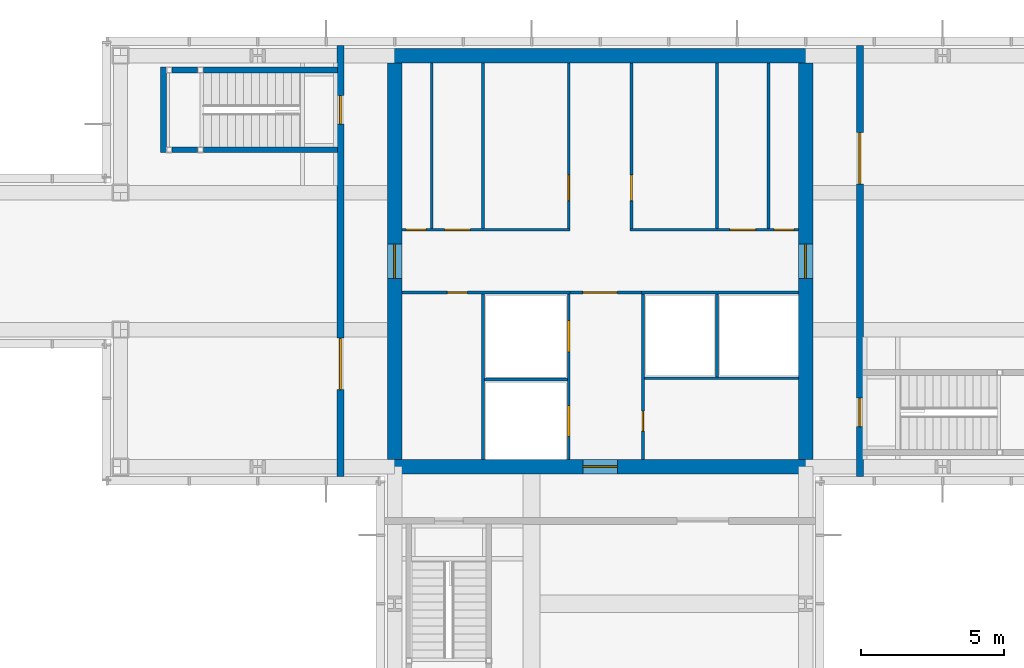
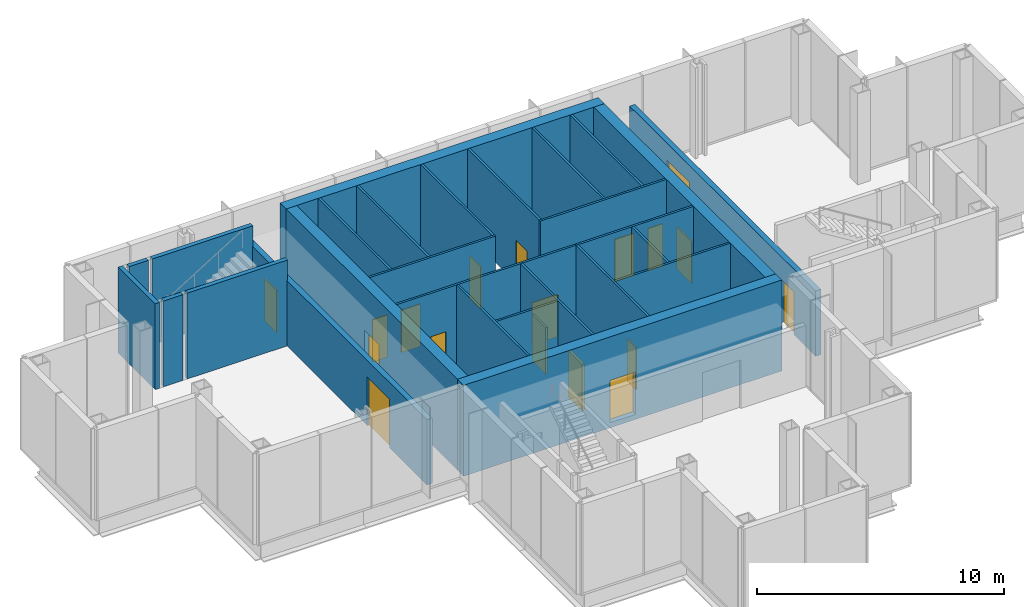
# One storey, part 10 of 12: 28 walls, 18 doors, 18 openings.
"""IFC4 building model written with IfcOpenShell, lengths in metres."""

from ifc_helpers import new_model, si_unit, direction, frame, frame_2d, origin, place, context, subcontext, project, spatial, rectangle, extrude, material, layer, layer_set, type_object, element, fill, save


model = new_model("IFC4")

# Units and contexts
model_context = context("Model", 3, precision=1e-05, world=origin(), true_north=direction((0.0, 1.0)))
body_context = subcontext(model_context, "Body", "Model", "MODEL_VIEW")
ifc_project = project(units=[si_unit("LENGTHUNIT", "METRE"), si_unit("AREAUNIT", "SQUARE_METRE"), si_unit("VOLUMEUNIT", "CUBIC_METRE"), si_unit("PLANEANGLEUNIT", "RADIAN"), si_unit("MASSUNIT", "GRAM", prefix="KILO")], contexts=[model_context])

# Site, building, storey
site_placement = place(None, origin())
site = spatial("IfcSite", under=ifc_project, at=site_placement, CompositionType="ELEMENT")
building_placement = place(site_placement, origin())
building = spatial("IfcBuilding", under=site, at=building_placement, Name="Kvirike Care Tower", CompositionType="ELEMENT")
storey_placement = place(building_placement, frame((0.0, 0.0, 243.5)))
storey = spatial("IfcBuildingStorey", under=building, at=storey_placement, Name="L67", CompositionType="ELEMENT", Elevation=243.5)

# Wall, opening, door
ifc_material_1 = material(Name="Concrete C40/50", Category="concrete")
ifc_layer_1 = layer(ifc_material_1, 0.5)
ifc_layer_set_1 = layer_set([ifc_layer_1], Name="CORE WALL 500 C40-50")
wall_type_1 = type_object("IfcWallType", Name="CORE WALL 500 C40-50", PredefinedType="SHEAR", material=ifc_layer_set_1)
wall_1_placement = place(storey_placement, frame((14.14990234375, 28.800048828125, -0.25), z_axis=(0.0, 0.0, 1.0), x_axis=(1.0, 0.0, 0.0)))
wall_1 = element("IfcWall", 1, at=wall_1_placement, inside=storey, type_object=wall_type_1, Name="Core wall S L67", PredefinedType="SHEAR", context=body_context, shape_type="SweptSolid", body=[
    extrude(rectangle(XDim=14.900146484375, YDim=0.5, at=frame_2d((7.4501953125, 0.0))), origin(), (0.0, 0.0, 1.0), 4.5),
])
opening_1_placement = place(wall_1_placement, frame((6.85009765625, 0.0, 0.25)))
opening_1 = element("IfcOpeningElement", 2, at=opening_1_placement, cuts=wall_1, Name="Opening 67-018", PredefinedType="OPENING", context=body_context, shape_type="SweptSolid", body=[
    extrude(rectangle(XDim=1.199951171875, YDim=2.10009765625, at=frame_2d((0.60009765625, 1.050048828125))), frame((0.0, 0.260498046875, 0.0), z_axis=(0.0, -1.0, 0.0), x_axis=(1.0, 0.0, 0.0)), (0.0, 0.0, 1.0), 0.52099609375),
])
ifc_material_2 = material(Name="Timber door set", Category="wood")
door_type_1 = type_object("IfcDoorType", Name="CORE DOOR 1200", OperationType="SINGLE_SWING_LEFT", PredefinedType="DOOR", material=ifc_material_2)
door_1_placement = place(opening_1_placement, origin())
door_1 = element("IfcDoor", 3, at=door_1_placement, inside=storey, type_object=door_type_1, Name="Core door S L67", OperationType="SINGLE_SWING_LEFT", OverallHeight=2.10009765625, OverallWidth=1.199951171875, PredefinedType="DOOR", context=body_context, shape_type="SweptSolid", body=[
    extrude(rectangle(XDim=1.199951171875, YDim=2.10009765625, at=frame_2d((0.60009765625, 1.050048828125))), frame((0.0, 0.02685546875, 0.0), z_axis=(0.0, -1.0, 0.0), x_axis=(1.0, 0.0, 0.0)), (0.0, 0.0, 1.0), 0.053955078125),
])
fill(opening_1, door_1)

# Wall
wall_2_placement = place(storey_placement, frame((29.050048828125, 43.199951171875, -0.25), z_axis=(0.0, 0.0, 1.0), x_axis=(-1.0, 0.0, 0.0)))
element("IfcWall", 4, at=wall_2_placement, inside=storey, type_object=wall_type_1, Name="Core wall N L67", PredefinedType="SHEAR", context=body_context, shape_type="SweptSolid", body=[
    extrude(rectangle(XDim=14.900146484375, YDim=0.5, at=frame_2d((7.4501953125, 0.0))), origin(), (0.0, 0.0, 1.0), 4.5),
])

# Wall, opening, door
wall_3_placement = place(storey_placement, frame((14.39990234375, 42.949951171875, -0.25), z_axis=(0.0, 0.0, 1.0), x_axis=(0.0, -1.0, 0.0)))
wall_3 = element("IfcWall", 5, at=wall_3_placement, inside=storey, type_object=wall_type_1, Name="Core wall W L67", PredefinedType="SHEAR", context=body_context, shape_type="SweptSolid", body=[
    extrude(rectangle(XDim=13.89990234375, YDim=0.5, at=frame_2d((6.949951171875, 0.0))), origin(), (0.0, 0.0, 1.0), 4.5),
])
opening_2_placement = place(wall_3_placement, frame((6.35009765625, 0.0, 0.25)))
opening_2 = element("IfcOpeningElement", 6, at=opening_2_placement, cuts=wall_3, Name="Opening 67-019", PredefinedType="OPENING", context=body_context, shape_type="SweptSolid", body=[
    extrude(rectangle(XDim=1.199951171875, YDim=2.10009765625, at=frame_2d((0.60009765625, 1.050048828125))), frame((0.0, 0.260498046875, 0.0), z_axis=(0.0, -1.0, 0.0), x_axis=(1.0, 0.0, 0.0)), (0.0, 0.0, 1.0), 0.52099609375),
])
door_2_placement = place(opening_2_placement, origin())
door_2 = element("IfcDoor", 7, at=door_2_placement, inside=storey, type_object=door_type_1, Name="Core door W L67", OperationType="SINGLE_SWING_LEFT", OverallHeight=2.10009765625, OverallWidth=1.199951171875, PredefinedType="DOOR", context=body_context, shape_type="SweptSolid", body=[
    extrude(rectangle(XDim=1.199951171875, YDim=2.10009765625, at=frame_2d((0.60009765625, 1.050048828125))), frame((0.0, 0.02685546875, 0.0), z_axis=(0.0, -1.0, 0.0), x_axis=(1.0, 0.0, 0.0)), (0.0, 0.0, 1.0), 0.053955078125),
])
fill(opening_2, door_2)

wall_4_placement = place(storey_placement, frame((28.800048828125, 29.050048828125, -0.25), z_axis=(0.0, 0.0, 1.0), x_axis=(0.0, 1.0, 0.0)))
wall_4 = element("IfcWall", 8, at=wall_4_placement, inside=storey, type_object=wall_type_1, Name="Core wall E L67", PredefinedType="SHEAR", context=body_context, shape_type="SweptSolid", body=[
    extrude(rectangle(XDim=13.89990234375, YDim=0.5, at=frame_2d((6.949951171875, 0.0))), origin(), (0.0, 0.0, 1.0), 4.5),
])
opening_3_placement = place(wall_4_placement, frame((6.35009765625, 0.0, 0.25)))
opening_3 = element("IfcOpeningElement", 9, at=opening_3_placement, cuts=wall_4, Name="Opening 67-020", PredefinedType="OPENING", context=body_context, shape_type="SweptSolid", body=[
    extrude(rectangle(XDim=1.199951171875, YDim=2.10009765625, at=frame_2d((0.60009765625, 1.050048828125))), frame((0.0, 0.260498046875, 0.0), z_axis=(0.0, -1.0, 0.0), x_axis=(1.0, 0.0, 0.0)), (0.0, 0.0, 1.0), 0.52099609375),
])
door_3_placement = place(opening_3_placement, origin())
door_3 = element("IfcDoor", 10, at=door_3_placement, inside=storey, type_object=door_type_1, Name="Core door E L67", OperationType="SINGLE_SWING_LEFT", OverallHeight=2.10009765625, OverallWidth=1.199951171875, PredefinedType="DOOR", context=body_context, shape_type="SweptSolid", body=[
    extrude(rectangle(XDim=1.199951171875, YDim=2.10009765625, at=frame_2d((0.60009765625, 1.050048828125))), frame((0.0, 0.02685546875, 0.0), z_axis=(0.0, -1.0, 0.0), x_axis=(1.0, 0.0, 0.0)), (0.0, 0.0, 1.0), 0.053955078125),
])
fill(opening_3, door_3)

# Wall, openings, doors
ifc_material_3 = material(Name="Concrete blockwork", Category="masonry")
ifc_layer_2 = layer(ifc_material_3, 0.25)
ifc_layer_set_2 = layer_set([ifc_layer_2], Name="PLANT ROOM WALL 250")
wall_type_2 = type_object("IfcWallType", Name="PLANT ROOM WALL 250", PredefinedType="SOLIDWALL", material=ifc_layer_set_2)
wall_5_placement = place(storey_placement, frame((12.5, 43.550048828125, 0.0), z_axis=(0.0, 0.0, 1.0), x_axis=(0.0, -1.0, 0.0)))
wall_5 = element("IfcWall", 11, at=wall_5_placement, inside=storey, type_object=wall_type_2, Name="Plant Room Wall 250 L67", PredefinedType="SOLIDWALL", context=body_context, shape_type="SweptSolid", body=[
    extrude(rectangle(XDim=15.10009765625, YDim=0.25, at=frame_2d((7.550048828125, 0.0))), origin(), (0.0, 0.0, 1.0), 3.23193359375),
])
opening_4_placement = place(wall_5_placement, frame((1.75, 0.0, 0.0)))
opening_4 = element("IfcOpeningElement", 12, at=opening_4_placement, cuts=wall_5, Name="Opening 67-001", PredefinedType="OPENING", context=body_context, shape_type="SweptSolid", body=[
    extrude(rectangle(XDim=1.0, YDim=2.10009765625, at=frame_2d((0.5, 1.050048828125))), frame((0.0, 0.135498046875, 0.0), z_axis=(0.0, -1.0, 0.0), x_axis=(1.0, 0.0, 0.0)), (0.0, 0.0, 1.0), 0.27099609375),
])
opening_5_placement = place(wall_5_placement, frame((10.25, 0.0, 0.0)))
opening_5 = element("IfcOpeningElement", 13, at=opening_5_placement, cuts=wall_5, Name="Opening 67-002", PredefinedType="OPENING", context=body_context, shape_type="SweptSolid", body=[
    extrude(rectangle(XDim=1.800048828125, YDim=2.39990234375, at=frame_2d((0.89990234375, 1.199951171875))), frame((0.0, 0.135498046875, 0.0), z_axis=(0.0, -1.0, 0.0), x_axis=(1.0, 0.0, 0.0)), (0.0, 0.0, 1.0), 0.27099609375),
])
ifc_material_4 = material(Name="Timber door set", Category="wood")
door_type_2 = type_object("IfcDoorType", Name="PLANT ROOM DOOR 1800", OperationType="DOUBLE_DOOR_SINGLE_SWING", PredefinedType="DOOR", material=ifc_material_4)
door_4_placement = place(opening_5_placement, frame((1.800048828125, 0.0, 0.0), z_axis=(0.0, 0.0, 1.0), x_axis=(-1.0, 0.0, 0.0)))
door_4 = element("IfcDoor", 14, at=door_4_placement, inside=storey, type_object=door_type_2, Name="Electrical plant room door", OperationType="DOUBLE_DOOR_SINGLE_SWING", OverallHeight=2.39990234375, OverallWidth=1.800048828125, PredefinedType="DOOR", context=body_context, shape_type="SweptSolid", body=[
    extrude(rectangle(XDim=1.800048828125, YDim=2.39990234375, at=frame_2d((0.89990234375, 1.199951171875))), frame((0.0, 0.031982421875, 0.0), z_axis=(0.0, -1.0, 0.0), x_axis=(1.0, 0.0, 0.0)), (0.0, 0.0, 1.0), 0.06396484375),
])
fill(opening_5, door_4)
ifc_material_5 = material(Name="Timber door set", Category="wood")
door_type_3 = type_object("IfcDoorType", Name="STAIR DOOR 1000", OperationType="SINGLE_SWING_LEFT", PredefinedType="DOOR", material=ifc_material_5)
door_5_placement = place(opening_4_placement, frame((1.0, 0.0, 0.0), z_axis=(0.0, 0.0, 1.0), x_axis=(-1.0, 0.0, 0.0)))
door_5 = element("IfcDoor", 15, at=door_5_placement, inside=storey, type_object=door_type_3, Name="Stair 1 door", OperationType="SINGLE_SWING_RIGHT", OverallHeight=2.10009765625, OverallWidth=1.0, PredefinedType="DOOR", context=body_context, shape_type="SweptSolid", body=[
    extrude(rectangle(XDim=1.0, YDim=2.10009765625, at=frame_2d((0.5, 1.050048828125))), frame((0.0, 0.031982421875, 0.0), z_axis=(0.0, -1.0, 0.0), x_axis=(1.0, 0.0, 0.0)), (0.0, 0.0, 1.0), 0.06396484375),
])
fill(opening_4, door_5)

wall_6_placement = place(storey_placement, frame((30.699951171875, 28.449951171875, 0.0), z_axis=(0.0, 0.0, 1.0), x_axis=(0.0, 1.0, 0.0)))
wall_6 = element("IfcWall", 16, at=wall_6_placement, inside=storey, type_object=wall_type_2, Name="Plant Room Wall 250 L67", PredefinedType="SOLIDWALL", context=body_context, shape_type="SweptSolid", body=[
    extrude(rectangle(XDim=15.10009765625, YDim=0.25, at=frame_2d((7.550048828125, 0.0))), origin(), (0.0, 0.0, 1.0), 3.23193359375),
])
opening_6_placement = place(wall_6_placement, frame((1.75, 0.0, 0.0)))
opening_6 = element("IfcOpeningElement", 17, at=opening_6_placement, cuts=wall_6, Name="Opening 67-005", PredefinedType="OPENING", context=body_context, shape_type="SweptSolid", body=[
    extrude(rectangle(XDim=1.0, YDim=2.10009765625, at=frame_2d((0.5, 1.050048828125))), frame((0.0, 0.135498046875, 0.0), z_axis=(0.0, -1.0, 0.0), x_axis=(1.0, 0.0, 0.0)), (0.0, 0.0, 1.0), 0.27099609375),
])
opening_7_placement = place(wall_6_placement, frame((10.25, 0.0, 0.0)))
opening_7 = element("IfcOpeningElement", 18, at=opening_7_placement, cuts=wall_6, Name="Opening 67-006", PredefinedType="OPENING", context=body_context, shape_type="SweptSolid", body=[
    extrude(rectangle(XDim=1.800048828125, YDim=2.39990234375, at=frame_2d((0.89990234375, 1.199951171875))), frame((0.0, 0.135498046875, 0.0), z_axis=(0.0, -1.0, 0.0), x_axis=(1.0, 0.0, 0.0)), (0.0, 0.0, 1.0), 0.27099609375),
])
door_6_placement = place(opening_7_placement, frame((1.800048828125, 0.0, 0.0), z_axis=(0.0, 0.0, 1.0), x_axis=(-1.0, 0.0, 0.0)))
door_6 = element("IfcDoor", 19, at=door_6_placement, inside=storey, type_object=door_type_2, Name="Mechanical plant room door", OperationType="DOUBLE_DOOR_SINGLE_SWING", OverallHeight=2.39990234375, OverallWidth=1.800048828125, PredefinedType="DOOR", context=body_context, shape_type="SweptSolid", body=[
    extrude(rectangle(XDim=1.800048828125, YDim=2.39990234375, at=frame_2d((0.89990234375, 1.199951171875))), frame((0.0, 0.031982421875, 0.0), z_axis=(0.0, -1.0, 0.0), x_axis=(1.0, 0.0, 0.0)), (0.0, 0.0, 1.0), 0.06396484375),
])
fill(opening_7, door_6)
door_7_placement = place(opening_6_placement, frame((1.0, 0.0, 0.0), z_axis=(0.0, 0.0, 1.0), x_axis=(-1.0, 0.0, 0.0)))
door_7 = element("IfcDoor", 20, at=door_7_placement, inside=storey, type_object=door_type_3, Name="Stair 2 door", OperationType="SINGLE_SWING_RIGHT", OverallHeight=2.10009765625, OverallWidth=1.0, PredefinedType="DOOR", context=body_context, shape_type="SweptSolid", body=[
    extrude(rectangle(XDim=1.0, YDim=2.10009765625, at=frame_2d((0.5, 1.050048828125))), frame((0.0, 0.031982421875, 0.0), z_axis=(0.0, -1.0, 0.0), x_axis=(1.0, 0.0, 0.0)), (0.0, 0.0, 1.0), 0.06396484375),
])
fill(opening_6, door_7)

# Walls
ifc_material_6 = material(Name="Gypsum shaft wall system", Category="gypsum")
ifc_layer_3 = layer(ifc_material_6, 0.10009765625)
ifc_layer_set_3 = layer_set([ifc_layer_3], Name="SHAFT WALL 100")
wall_type_3 = type_object("IfcWallType", Name="SHAFT WALL 100", PredefinedType="SOLIDWALL", material=ifc_layer_set_3)
for number, where, z_axis, x_axis, name in (
    (21, (15.699951171875, 37.14990234375, 0.0), (0.0, 0.0, 1.0), (0.0, 1.0, 0.0), "Shaft Wall 100 L67"),
    (22, (27.5, 37.14990234375, 0.0), (0.0, 0.0, 1.0), (0.0, 1.0, 0.0), "Shaft Wall 100 L67"),
):
    element("IfcWall", number, at=place(storey_placement, frame(where, z_axis=z_axis, x_axis=x_axis)), inside=storey, type_object=wall_type_3, Name=name, PredefinedType="SOLIDWALL", context=body_context, shape_type="SweptSolid", body=[
        extrude(rectangle(XDim=5.800048828125, YDim=0.10009765625, at=frame_2d((2.89990234375, 0.0))), origin(), (0.0, 0.0, 1.0), 4.25),
    ])

# Wall, openings, doors
wall_7_placement = place(storey_placement, frame((20.5, 29.050048828125, 0.0), z_axis=(0.0, 0.0, 1.0), x_axis=(0.0, 1.0, 0.0)))
wall_7 = element("IfcWall", 23, at=wall_7_placement, inside=storey, type_object=wall_type_3, Name="Shaft Wall 100 L67", PredefinedType="SOLIDWALL", context=body_context, shape_type="SweptSolid", body=[
    extrude(rectangle(XDim=5.800048828125, YDim=0.10009765625, at=frame_2d((2.89990234375, 0.0))), origin(), (0.0, 0.0, 1.0), 4.25),
])
opening_8_placement = place(wall_7_placement, frame((0.800048828125, 0.0, 0.0)))
opening_8 = element("IfcOpeningElement", 24, at=opening_8_placement, cuts=wall_7, Name="Opening 67-007", PredefinedType="OPENING", context=body_context, shape_type="SweptSolid", body=[
    extrude(rectangle(XDim=1.10009765625, YDim=2.300048828125, at=frame_2d((0.550048828125, 1.14990234375))), frame((0.0, 0.060546875, 0.0), z_axis=(0.0, -1.0, 0.0), x_axis=(1.0, 0.0, 0.0)), (0.0, 0.0, 1.0), 0.12109375),
])
opening_9_placement = place(wall_7_placement, frame((3.77490234375, 0.0, 0.0)))
opening_9 = element("IfcOpeningElement", 25, at=opening_9_placement, cuts=wall_7, Name="Opening 67-008", PredefinedType="OPENING", context=body_context, shape_type="SweptSolid", body=[
    extrude(rectangle(XDim=1.10009765625, YDim=2.300048828125, at=frame_2d((0.550048828125, 1.14990234375))), frame((0.0, 0.060546875, 0.0), z_axis=(0.0, -1.0, 0.0), x_axis=(1.0, 0.0, 0.0)), (0.0, 0.0, 1.0), 0.12109375),
])
ifc_material_7 = material(Name="Aluminium door frame", Category="aluminium")
door_type_4 = type_object("IfcDoorType", Name="FIRE-FIGHTING LIFT LANDING DOOR 1100", OperationType="SLIDING_TO_LEFT", PredefinedType="DOOR", material=ifc_material_7)
door_8_placement = place(opening_8_placement, origin())
door_8 = element("IfcDoor", 26, at=door_8_placement, inside=storey, type_object=door_type_4, Name="Lift FF1 landing door", OperationType="SLIDING_TO_LEFT", OverallHeight=2.300048828125, OverallWidth=1.10009765625, PredefinedType="DOOR", context=body_context, shape_type="SweptSolid", body=[
    extrude(rectangle(XDim=1.10009765625, YDim=2.300048828125, at=frame_2d((0.550048828125, 1.14990234375))), frame((0.0, 0.0498046875, 0.0), z_axis=(0.0, -1.0, 0.0), x_axis=(1.0, 0.0, 0.0)), (0.0, 0.0, 1.0), 0.099609375),
])
fill(opening_8, door_8)
door_9_placement = place(opening_9_placement, origin())
door_9 = element("IfcDoor", 27, at=door_9_placement, inside=storey, type_object=door_type_4, Name="Lift FF2 landing door", OperationType="SLIDING_TO_LEFT", OverallHeight=2.300048828125, OverallWidth=1.10009765625, PredefinedType="DOOR", context=body_context, shape_type="SweptSolid", body=[
    extrude(rectangle(XDim=1.10009765625, YDim=2.300048828125, at=frame_2d((0.550048828125, 1.14990234375))), frame((0.0, 0.0498046875, 0.0), z_axis=(0.0, -1.0, 0.0), x_axis=(1.0, 0.0, 0.0)), (0.0, 0.0, 1.0), 0.099609375),
])
fill(opening_9, door_9)

# Wall, opening, door
wall_8_placement = place(storey_placement, frame((20.5, 37.14990234375, 0.0), z_axis=(0.0, 0.0, 1.0), x_axis=(0.0, 1.0, 0.0)))
wall_8 = element("IfcWall", 28, at=wall_8_placement, inside=storey, type_object=wall_type_3, Name="Shaft Wall 100 L67", PredefinedType="SOLIDWALL", context=body_context, shape_type="SweptSolid", body=[
    extrude(rectangle(XDim=5.800048828125, YDim=0.10009765625, at=frame_2d((2.89990234375, 0.0))), origin(), (0.0, 0.0, 1.0), 4.25),
])
opening_10_placement = place(wall_8_placement, frame((0.97509765625, 0.0, 0.0)))
opening_10 = element("IfcOpeningElement", 29, at=opening_10_placement, cuts=wall_8, Name="Opening 67-009", PredefinedType="OPENING", context=body_context, shape_type="SweptSolid", body=[
    extrude(rectangle(XDim=0.89990234375, YDim=2.10009765625, at=frame_2d((0.449951171875, 1.050048828125))), frame((0.0, 0.060546875, 0.0), z_axis=(0.0, -1.0, 0.0), x_axis=(1.0, 0.0, 0.0)), (0.0, 0.0, 1.0), 0.12109375),
])
ifc_material_8 = material(Name="Timber door set", Category="wood")
door_type_5 = type_object("IfcDoorType", Name="STORE DOOR 900", OperationType="SINGLE_SWING_LEFT", PredefinedType="DOOR", material=ifc_material_8)
door_10_placement = place(opening_10_placement, origin())
door_10 = element("IfcDoor", 30, at=door_10_placement, inside=storey, type_object=door_type_5, Name="Housekeeping office door", OperationType="SINGLE_SWING_RIGHT", OverallHeight=2.10009765625, OverallWidth=0.89990234375, PredefinedType="DOOR", context=body_context, shape_type="SweptSolid", body=[
    extrude(rectangle(XDim=0.89990234375, YDim=2.10009765625, at=frame_2d((0.449951171875, 1.050048828125))), frame((0.0, 0.02685546875, 0.0), z_axis=(0.0, -1.0, 0.0), x_axis=(1.0, 0.0, 0.0)), (0.0, 0.0, 1.0), 0.053955078125),
])
fill(opening_10, door_10)

wall_9_placement = place(storey_placement, frame((22.699951171875, 37.14990234375, 0.0), z_axis=(0.0, 0.0, 1.0), x_axis=(0.0, 1.0, 0.0)))
wall_9 = element("IfcWall", 31, at=wall_9_placement, inside=storey, type_object=wall_type_3, Name="Shaft Wall 100 L67", PredefinedType="SOLIDWALL", context=body_context, shape_type="SweptSolid", body=[
    extrude(rectangle(XDim=5.800048828125, YDim=0.10009765625, at=frame_2d((2.89990234375, 0.0))), origin(), (0.0, 0.0, 1.0), 4.25),
])
opening_11_placement = place(wall_9_placement, frame((0.97509765625, 0.0, 0.0)))
opening_11 = element("IfcOpeningElement", 32, at=opening_11_placement, cuts=wall_9, Name="Opening 67-010", PredefinedType="OPENING", context=body_context, shape_type="SweptSolid", body=[
    extrude(rectangle(XDim=0.89990234375, YDim=2.10009765625, at=frame_2d((0.449951171875, 1.050048828125))), frame((0.0, 0.060546875, 0.0), z_axis=(0.0, -1.0, 0.0), x_axis=(1.0, 0.0, 0.0)), (0.0, 0.0, 1.0), 0.12109375),
])
door_11_placement = place(opening_11_placement, frame((0.89990234375, 0.0, 0.0), z_axis=(0.0, 0.0, 1.0), x_axis=(-1.0, 0.0, 0.0)))
door_11 = element("IfcDoor", 33, at=door_11_placement, inside=storey, type_object=door_type_5, Name="Staff room door", OperationType="SINGLE_SWING_LEFT", OverallHeight=2.10009765625, OverallWidth=0.89990234375, PredefinedType="DOOR", context=body_context, shape_type="SweptSolid", body=[
    extrude(rectangle(XDim=0.89990234375, YDim=2.10009765625, at=frame_2d((0.449951171875, 1.050048828125))), frame((0.0, 0.02685546875, 0.0), z_axis=(0.0, -1.0, 0.0), x_axis=(1.0, 0.0, 0.0)), (0.0, 0.0, 1.0), 0.053955078125),
])
fill(opening_11, door_11)

wall_10_placement = place(storey_placement, frame((23.10009765625, 29.050048828125, 0.0), z_axis=(0.0, 0.0, 1.0), x_axis=(0.0, 1.0, 0.0)))
wall_10 = element("IfcWall", 34, at=wall_10_placement, inside=storey, type_object=wall_type_3, Name="Shaft Wall 100 L67", PredefinedType="SOLIDWALL", context=body_context, shape_type="SweptSolid", body=[
    extrude(rectangle(XDim=5.800048828125, YDim=0.10009765625, at=frame_2d((2.89990234375, 0.0))), origin(), (0.0, 0.0, 1.0), 4.25),
])
opening_12_placement = place(wall_10_placement, frame((1.0, 0.0, 0.0)))
opening_12 = element("IfcOpeningElement", 35, at=opening_12_placement, cuts=wall_10, Name="Opening 67-011", PredefinedType="OPENING", context=body_context, shape_type="SweptSolid", body=[
    extrude(rectangle(XDim=0.699951171875, YDim=2.10009765625, at=frame_2d((0.35009765625, 1.050048828125))), frame((0.0, 0.060546875, 0.0), z_axis=(0.0, -1.0, 0.0), x_axis=(1.0, 0.0, 0.0)), (0.0, 0.0, 1.0), 0.12109375),
])
ifc_material_9 = material(Name="Timber door set", Category="wood")
door_type_6 = type_object("IfcDoorType", Name="RISER DOOR 700", OperationType="SINGLE_SWING_LEFT", PredefinedType="DOOR", material=ifc_material_9)
door_12_placement = place(opening_12_placement, origin())
door_12 = element("IfcDoor", 36, at=door_12_placement, inside=storey, type_object=door_type_6, Name="Riser door", OperationType="SINGLE_SWING_RIGHT", OverallHeight=2.10009765625, OverallWidth=0.699951171875, PredefinedType="DOOR", context=body_context, shape_type="SweptSolid", body=[
    extrude(rectangle(XDim=0.699951171875, YDim=2.10009765625, at=frame_2d((0.35009765625, 1.050048828125))), frame((0.0, 0.02685546875, 0.0), z_axis=(0.0, -1.0, 0.0), x_axis=(1.0, 0.0, 0.0)), (0.0, 0.0, 1.0), 0.053955078125),
])
fill(opening_12, door_12)

wall_11_placement = place(storey_placement, frame((14.64990234375, 34.89990234375, 0.0), z_axis=(0.0, 0.0, 1.0), x_axis=(1.0, 0.0, 0.0)))
wall_11 = element("IfcWall", 37, at=wall_11_placement, inside=storey, type_object=wall_type_3, Name="Shaft Wall 100 L67", PredefinedType="SOLIDWALL", context=body_context, shape_type="SweptSolid", body=[
    extrude(rectangle(XDim=5.900146484375, YDim=0.10009765625, at=frame_2d((2.9501953125, 0.0))), origin(), (0.0, 0.0, 1.0), 4.25),
])
opening_13_placement = place(wall_11_placement, frame((1.60009765625, 0.0, 0.0)))
opening_13 = element("IfcOpeningElement", 38, at=opening_13_placement, cuts=wall_11, Name="Opening 67-012", PredefinedType="OPENING", context=body_context, shape_type="SweptSolid", body=[
    extrude(rectangle(XDim=0.699951171875, YDim=2.10009765625, at=frame_2d((0.35009765625, 1.050048828125))), frame((0.0, 0.060546875, 0.0), z_axis=(0.0, -1.0, 0.0), x_axis=(1.0, 0.0, 0.0)), (0.0, 0.0, 1.0), 0.12109375),
])
door_13_placement = place(opening_13_placement, frame((0.699951171875, 0.0, 0.0), z_axis=(0.0, 0.0, 1.0), x_axis=(-1.0, 0.0, 0.0)))
door_13 = element("IfcDoor", 39, at=door_13_placement, inside=storey, type_object=door_type_6, Name="Riser door", OperationType="SINGLE_SWING_RIGHT", OverallHeight=2.10009765625, OverallWidth=0.699951171875, PredefinedType="DOOR", context=body_context, shape_type="SweptSolid", body=[
    extrude(rectangle(XDim=0.699951171875, YDim=2.10009765625, at=frame_2d((0.35009765625, 1.050048828125))), frame((0.0, 0.02685546875, 0.0), z_axis=(0.0, -1.0, 0.0), x_axis=(1.0, 0.0, 0.0)), (0.0, 0.0, 1.0), 0.053955078125),
])
fill(opening_13, door_13)

# Wall
wall_12_placement = place(storey_placement, frame((23.050048828125, 34.89990234375, 0.0), z_axis=(0.0, 0.0, 1.0), x_axis=(1.0, 0.0, 0.0)))
element("IfcWall", 40, at=wall_12_placement, inside=storey, type_object=wall_type_3, Name="Shaft Wall 100 L67", PredefinedType="SOLIDWALL", context=body_context, shape_type="SweptSolid", body=[
    extrude(rectangle(XDim=5.5, YDim=0.10009765625, at=frame_2d((2.75, 0.0))), origin(), (0.0, 0.0, 1.0), 4.25),
])

# Wall, openings, doors
wall_13_placement = place(storey_placement, frame((14.64990234375, 37.10009765625, 0.0), z_axis=(0.0, 0.0, 1.0), x_axis=(1.0, 0.0, 0.0)))
wall_13 = element("IfcWall", 41, at=wall_13_placement, inside=storey, type_object=wall_type_3, Name="Shaft Wall 100 L67", PredefinedType="SOLIDWALL", context=body_context, shape_type="SweptSolid", body=[
    extrude(rectangle(XDim=5.900146484375, YDim=0.10009765625, at=frame_2d((2.9501953125, 0.0))), origin(), (0.0, 0.0, 1.0), 4.25),
])
opening_14_placement = place(wall_13_placement, frame((0.14990234375, 0.0, 0.0)))
opening_14 = element("IfcOpeningElement", 42, at=opening_14_placement, cuts=wall_13, Name="Opening 67-013", PredefinedType="OPENING", context=body_context, shape_type="SweptSolid", body=[
    extrude(rectangle(XDim=0.699951171875, YDim=2.10009765625, at=frame_2d((0.35009765625, 1.050048828125))), frame((0.0, 0.060546875, 0.0), z_axis=(0.0, -1.0, 0.0), x_axis=(1.0, 0.0, 0.0)), (0.0, 0.0, 1.0), 0.12109375),
])
opening_15_placement = place(wall_13_placement, frame((1.5, 0.0, 0.0)))
opening_15 = element("IfcOpeningElement", 43, at=opening_15_placement, cuts=wall_13, Name="Opening 67-014", PredefinedType="OPENING", context=body_context, shape_type="SweptSolid", body=[
    extrude(rectangle(XDim=0.89990234375, YDim=2.10009765625, at=frame_2d((0.449951171875, 1.050048828125))), frame((0.0, 0.060546875, 0.0), z_axis=(0.0, -1.0, 0.0), x_axis=(1.0, 0.0, 0.0)), (0.0, 0.0, 1.0), 0.12109375),
])
door_14_placement = place(opening_14_placement, origin())
door_14 = element("IfcDoor", 44, at=door_14_placement, inside=storey, type_object=door_type_6, Name="Riser door", OperationType="SINGLE_SWING_LEFT", OverallHeight=2.10009765625, OverallWidth=0.699951171875, PredefinedType="DOOR", context=body_context, shape_type="SweptSolid", body=[
    extrude(rectangle(XDim=0.699951171875, YDim=2.10009765625, at=frame_2d((0.35009765625, 1.050048828125))), frame((0.0, 0.02685546875, 0.0), z_axis=(0.0, -1.0, 0.0), x_axis=(1.0, 0.0, 0.0)), (0.0, 0.0, 1.0), 0.053955078125),
])
fill(opening_14, door_14)
door_15_placement = place(opening_15_placement, origin())
door_15 = element("IfcDoor", 45, at=door_15_placement, inside=storey, type_object=door_type_5, Name="Vending and ice room door", OperationType="SINGLE_SWING_LEFT", OverallHeight=2.10009765625, OverallWidth=0.89990234375, PredefinedType="DOOR", context=body_context, shape_type="SweptSolid", body=[
    extrude(rectangle(XDim=0.89990234375, YDim=2.10009765625, at=frame_2d((0.449951171875, 1.050048828125))), frame((0.0, 0.02685546875, 0.0), z_axis=(0.0, -1.0, 0.0), x_axis=(1.0, 0.0, 0.0)), (0.0, 0.0, 1.0), 0.053955078125),
])
fill(opening_15, door_15)

wall_14_placement = place(storey_placement, frame((22.64990234375, 37.10009765625, 0.0), z_axis=(0.0, 0.0, 1.0), x_axis=(1.0, 0.0, 0.0)))
wall_14 = element("IfcWall", 46, at=wall_14_placement, inside=storey, type_object=wall_type_3, Name="Shaft Wall 100 L67", PredefinedType="SOLIDWALL", context=body_context, shape_type="SweptSolid", body=[
    extrude(rectangle(XDim=5.900146484375, YDim=0.10009765625, at=frame_2d((2.9501953125, 0.0))), origin(), (0.0, 0.0, 1.0), 4.25),
])
opening_16_placement = place(wall_14_placement, frame((3.5, 0.0, 0.0)))
opening_16 = element("IfcOpeningElement", 47, at=opening_16_placement, cuts=wall_14, Name="Opening 67-015", PredefinedType="OPENING", context=body_context, shape_type="SweptSolid", body=[
    extrude(rectangle(XDim=0.89990234375, YDim=2.10009765625, at=frame_2d((0.449951171875, 1.050048828125))), frame((0.0, 0.060546875, 0.0), z_axis=(0.0, -1.0, 0.0), x_axis=(1.0, 0.0, 0.0)), (0.0, 0.0, 1.0), 0.12109375),
])
opening_17_placement = place(wall_14_placement, frame((5.050048828125, 0.0, 0.0)))
opening_17 = element("IfcOpeningElement", 48, at=opening_17_placement, cuts=wall_14, Name="Opening 67-016", PredefinedType="OPENING", context=body_context, shape_type="SweptSolid", body=[
    extrude(rectangle(XDim=0.699951171875, YDim=2.10009765625, at=frame_2d((0.35009765625, 1.050048828125))), frame((0.0, 0.060546875, 0.0), z_axis=(0.0, -1.0, 0.0), x_axis=(1.0, 0.0, 0.0)), (0.0, 0.0, 1.0), 0.12109375),
])
door_16_placement = place(opening_17_placement, origin())
door_16 = element("IfcDoor", 49, at=door_16_placement, inside=storey, type_object=door_type_6, Name="Riser door", OperationType="SINGLE_SWING_RIGHT", OverallHeight=2.10009765625, OverallWidth=0.699951171875, PredefinedType="DOOR", context=body_context, shape_type="SweptSolid", body=[
    extrude(rectangle(XDim=0.699951171875, YDim=2.10009765625, at=frame_2d((0.35009765625, 1.050048828125))), frame((0.0, 0.02685546875, 0.0), z_axis=(0.0, -1.0, 0.0), x_axis=(1.0, 0.0, 0.0)), (0.0, 0.0, 1.0), 0.053955078125),
])
fill(opening_17, door_16)
door_17_placement = place(opening_16_placement, origin())
door_17 = element("IfcDoor", 50, at=door_17_placement, inside=storey, type_object=door_type_5, Name="Records store door", OperationType="SINGLE_SWING_LEFT", OverallHeight=2.10009765625, OverallWidth=0.89990234375, PredefinedType="DOOR", context=body_context, shape_type="SweptSolid", body=[
    extrude(rectangle(XDim=0.89990234375, YDim=2.10009765625, at=frame_2d((0.449951171875, 1.050048828125))), frame((0.0, 0.02685546875, 0.0), z_axis=(0.0, -1.0, 0.0), x_axis=(1.0, 0.0, 0.0)), (0.0, 0.0, 1.0), 0.053955078125),
])
fill(opening_16, door_17)

# Wall, opening, door
wall_15_placement = place(storey_placement, frame((20.550048828125, 34.89990234375, 0.0), z_axis=(0.0, 0.0, 1.0), x_axis=(1.0, 0.0, 0.0)))
wall_15 = element("IfcWall", 51, at=wall_15_placement, inside=storey, type_object=wall_type_3, Name="Shaft Wall 100 L67", PredefinedType="SOLIDWALL", context=body_context, shape_type="SweptSolid", body=[
    extrude(rectangle(XDim=2.5, YDim=0.10009765625, at=frame_2d((1.25, 0.0))), origin(), (0.0, 0.0, 1.0), 4.25),
])
opening_18_placement = place(wall_15_placement, frame((0.449951171875, 0.0, 0.0)))
opening_18 = element("IfcOpeningElement", 52, at=opening_18_placement, cuts=wall_15, Name="Opening 67-017", PredefinedType="OPENING", context=body_context, shape_type="SweptSolid", body=[
    extrude(rectangle(XDim=1.199951171875, YDim=2.10009765625, at=frame_2d((0.60009765625, 1.050048828125))), frame((0.0, 0.060546875, 0.0), z_axis=(0.0, -1.0, 0.0), x_axis=(1.0, 0.0, 0.0)), (0.0, 0.0, 1.0), 0.12109375),
])
door_18_placement = place(opening_18_placement, frame((1.199951171875, 0.0, 0.0), z_axis=(0.0, 0.0, 1.0), x_axis=(-1.0, 0.0, 0.0)))
door_18 = element("IfcDoor", 53, at=door_18_placement, inside=storey, type_object=door_type_1, Name="Fire-fighting lobby door", OperationType="SINGLE_SWING_LEFT", OverallHeight=2.10009765625, OverallWidth=1.199951171875, PredefinedType="DOOR", context=body_context, shape_type="SweptSolid", body=[
    extrude(rectangle(XDim=1.199951171875, YDim=2.10009765625, at=frame_2d((0.60009765625, 1.050048828125))), frame((0.0, 0.02685546875, 0.0), z_axis=(0.0, -1.0, 0.0), x_axis=(1.0, 0.0, 0.0)), (0.0, 0.0, 1.0), 0.053955078125),
])
fill(opening_18, door_18)

# Walls
wall_16_placement = place(storey_placement, frame((17.5, 29.050048828125, 0.0), z_axis=(0.0, 0.0, 1.0), x_axis=(0.0, 1.0, 0.0)))
element("IfcWall", 54, at=wall_16_placement, inside=storey, type_object=wall_type_3, Name="Shaft Wall 100 L67", PredefinedType="SOLIDWALL", context=body_context, shape_type="SweptSolid", body=[
    extrude(rectangle(XDim=5.800048828125, YDim=0.10009765625, at=frame_2d((2.89990234375, 0.0))), origin(), (0.0, 0.0, 1.0), 4.25),
])
wall_17_placement = place(storey_placement, frame((17.550048828125, 31.85009765625, 0.0), z_axis=(0.0, 0.0, 1.0), x_axis=(1.0, 0.0, 0.0)))
element("IfcWall", 55, at=wall_17_placement, inside=storey, type_object=wall_type_3, Name="Shaft Wall 100 L67", PredefinedType="SOLIDWALL", context=body_context, shape_type="SweptSolid", body=[
    extrude(rectangle(XDim=2.89990234375, YDim=0.10009765625, at=frame_2d((1.449951171875, 0.0))), origin(), (0.0, 0.0, 1.0), 4.25),
])
for number, where, z_axis, x_axis, name in (
    (56, (17.5, 37.14990234375, 0.0), (0.0, 0.0, 1.0), (0.0, 1.0, 0.0), "Shaft Wall 100 L67"),
    (57, (25.699951171875, 37.14990234375, 0.0), (0.0, 0.0, 1.0), (0.0, 1.0, 0.0), "Shaft Wall 100 L67"),
):
    element("IfcWall", number, at=place(storey_placement, frame(where, z_axis=z_axis, x_axis=x_axis)), inside=storey, type_object=wall_type_3, Name=name, PredefinedType="SOLIDWALL", context=body_context, shape_type="SweptSolid", body=[
        extrude(rectangle(XDim=5.800048828125, YDim=0.10009765625, at=frame_2d((2.89990234375, 0.0))), origin(), (0.0, 0.0, 1.0), 4.25),
    ])
wall_18_placement = place(storey_placement, frame((25.699951171875, 31.949951171875, 0.0), z_axis=(0.0, 0.0, 1.0), x_axis=(0.0, 1.0, 0.0)))
element("IfcWall", 58, at=wall_18_placement, inside=storey, type_object=wall_type_3, Name="Shaft Wall 100 L67", PredefinedType="SOLIDWALL", context=body_context, shape_type="SweptSolid", body=[
    extrude(rectangle(XDim=2.900146484375, YDim=0.10009765625, at=frame_2d((1.4501953125, 0.0))), origin(), (0.0, 0.0, 1.0), 4.25),
])
wall_19_placement = place(storey_placement, frame((23.14990234375, 31.89990234375, 0.0), z_axis=(0.0, 0.0, 1.0), x_axis=(1.0, 0.0, 0.0)))
element("IfcWall", 59, at=wall_19_placement, inside=storey, type_object=wall_type_3, Name="Shaft Wall 100 L67", PredefinedType="SOLIDWALL", context=body_context, shape_type="SweptSolid", body=[
    extrude(rectangle(XDim=5.400146484375, YDim=0.10009765625, at=frame_2d((2.7001953125, 0.0))), origin(), (0.0, 0.0, 1.0), 4.25),
])
ifc_material_10 = material(Name="Concrete C40/50", Category="concrete")
ifc_layer_4 = layer(ifc_material_10, 0.199951171875)
ifc_layer_set_4 = layer_set([ifc_layer_4], Name="STAIR WALL 200")
wall_type_4 = type_object("IfcWallType", Name="STAIR WALL 200", PredefinedType="SOLIDWALL", material=ifc_layer_set_4)
wall_20_placement = place(storey_placement, frame((6.60009765625, 42.699951171875, 0.0), z_axis=(0.0, 0.0, 1.0), x_axis=(1.0, 0.0, 0.0)))
element("IfcWall", 60, at=wall_20_placement, inside=storey, type_object=wall_type_4, Name="Stair Wall 200 L67", PredefinedType="SOLIDWALL", context=body_context, shape_type="SweptSolid", body=[
    extrude(rectangle(XDim=0.89990234375, YDim=0.199951171875, at=frame_2d((0.449951171875, 0.0))), origin(), (0.0, 0.0, 1.0), 4.25),
])
wall_21_placement = place(storey_placement, frame((7.699951171875, 42.699951171875, 0.0), z_axis=(0.0, 0.0, 1.0), x_axis=(1.0, 0.0, 0.0)))
element("IfcWall", 61, at=wall_21_placement, inside=storey, type_object=wall_type_4, Name="Stair Wall 200 L67", PredefinedType="SOLIDWALL", context=body_context, shape_type="SweptSolid", body=[
    extrude(rectangle(XDim=4.699951171875, YDim=0.199951171875, at=frame_2d((2.35009765625, 0.0))), origin(), (0.0, 0.0, 1.0), 4.25),
])
wall_22_placement = place(storey_placement, frame((6.60009765625, 39.89990234375, 0.0), z_axis=(0.0, 0.0, 1.0), x_axis=(1.0, 0.0, 0.0)))
element("IfcWall", 62, at=wall_22_placement, inside=storey, type_object=wall_type_4, Name="Stair Wall 200 L67", PredefinedType="SOLIDWALL", context=body_context, shape_type="SweptSolid", body=[
    extrude(rectangle(XDim=0.89990234375, YDim=0.199951171875, at=frame_2d((0.449951171875, 0.0))), origin(), (0.0, 0.0, 1.0), 4.25),
])
wall_23_placement = place(storey_placement, frame((7.699951171875, 39.89990234375, 0.0), z_axis=(0.0, 0.0, 1.0), x_axis=(1.0, 0.0, 0.0)))
element("IfcWall", 63, at=wall_23_placement, inside=storey, type_object=wall_type_4, Name="Stair Wall 200 L67", PredefinedType="SOLIDWALL", context=body_context, shape_type="SweptSolid", body=[
    extrude(rectangle(XDim=4.699951171875, YDim=0.199951171875, at=frame_2d((2.35009765625, 0.0))), origin(), (0.0, 0.0, 1.0), 4.25),
])
wall_24_placement = place(storey_placement, frame((6.300048828125, 42.800048828125, 0.0), z_axis=(0.0, 0.0, 1.0), x_axis=(0.0, -1.0, 0.0)))
element("IfcWall", 64, at=wall_24_placement, inside=storey, type_object=wall_type_4, Name="Stair Wall 200 L67", PredefinedType="SOLIDWALL", context=body_context, shape_type="SweptSolid", body=[
    extrude(rectangle(XDim=3.0, YDim=0.199951171875, at=frame_2d((1.5, 0.0))), origin(), (0.0, 0.0, 1.0), 4.25),
])

save(model, "model.ifc")
